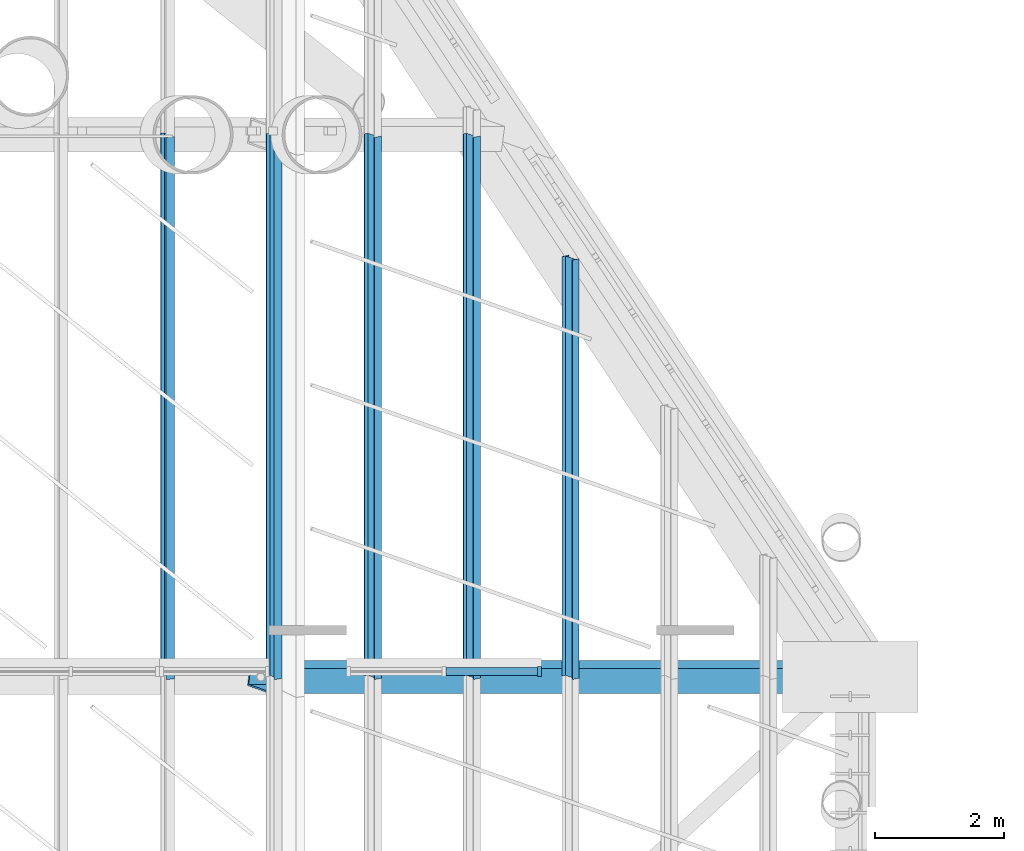
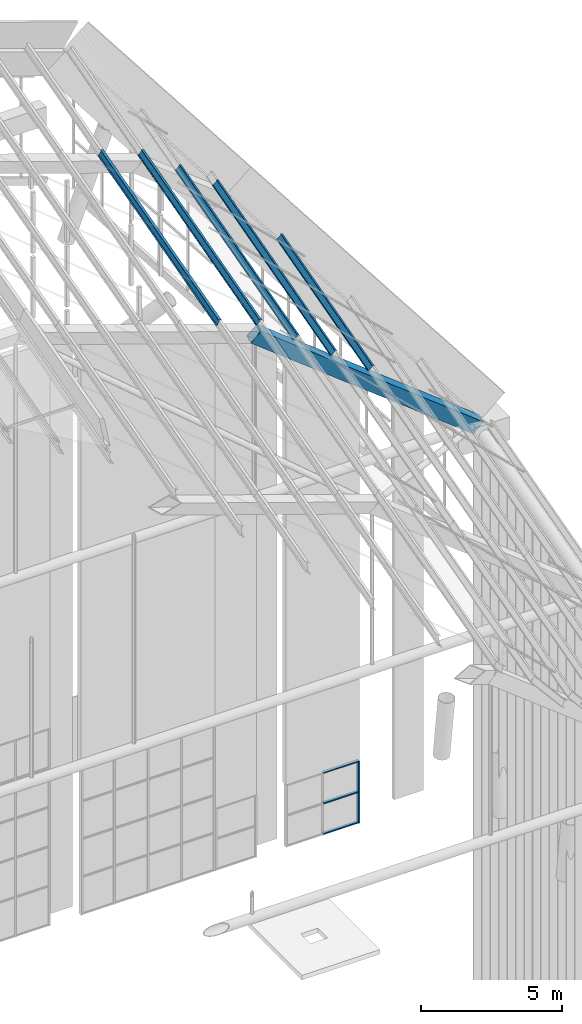
# One storey, part 66 of 126: 9 members, 1 beam, 1 element without a shape of its own.
"""IFC4 building model written with IfcOpenShell, lengths in metres."""

from ifc_helpers import new_model, si_unit, direction, frame, origin, origin_2d, place, context, subcontext, project, spatial, polyline, rectangle, i_section, outline, extrude, material, material_profile, profile_set, type_object, element, aggregate, save


model = new_model("IFC4")

# Units and contexts
model_context = context("Model", 3, precision=1e-05, world=origin(), true_north=direction((0.0, 1.0)))
body_context = subcontext(model_context, "Body", "Model", "MODEL_VIEW")
ifc_project = project(units=[si_unit("LENGTHUNIT", "METRE"), si_unit("AREAUNIT", "SQUARE_METRE"), si_unit("VOLUMEUNIT", "CUBIC_METRE"), si_unit("PLANEANGLEUNIT", "RADIAN"), si_unit("MASSUNIT", "GRAM", prefix="KILO")], contexts=[model_context])

# Site, building, storey
site_placement = place(None, origin())
site = spatial("IfcSite", under=ifc_project, at=site_placement, CompositionType="ELEMENT")
building_placement = place(site_placement, origin())
building = spatial("IfcBuilding", under=site, at=building_placement, Name="Sava Quay Ferry Terminal", CompositionType="ELEMENT")
storey_placement = place(building_placement, frame((0.0, 0.0, 15.0)))
storey = spatial("IfcBuildingStorey", under=building, at=storey_placement, Name="L03", CompositionType="ELEMENT", Elevation=15.0)

# Beam
ifc_material_1 = material(Name="Steel S355", Category="steel")
ifc_material_profile_1 = material_profile(ifc_material_1, outline(polyline([(-0.199951171875, -0.300048828125), (0.199951171875, -0.300048828125), (0.199951171875, 0.300048828125), (-0.199951171875, 0.300048828125), (-0.199951171875, -0.300048828125)]), holes=[polyline([(-0.175048828125, -0.27490234375), (-0.175048828125, 0.27490234375), (0.175048828125, 0.27490234375), (0.175048828125, -0.27490234375), (-0.175048828125, -0.27490234375)])]), Name="Box 600x400x25 built-up")
ifc_profile_set_1 = profile_set([ifc_material_profile_1], Name="Steel S355")
beam_type = type_object("IfcBeamType", Name="D folded rib Box 600x400x25", PredefinedType="BEAM", material=ifc_profile_set_1)
beam_placement = place(storey_placement, frame((74.8701171875, 100.800048828125, 22.758056640625), z_axis=(0.788010316968, 0.0, -0.615662034198), x_axis=(0.129742161592, 0.977543008469, 0.166062151312)))
element("IfcBeam", 1, at=beam_placement, inside=storey, type_object=beam_type, Name="Departure hall folded rib R6 seg 5", PredefinedType="BEAM", context=body_context, shape_type="SweptSolid", body=[
    extrude(outline(polyline([(-0.199951171875, -0.300048828125), (0.199951171875, -0.300048828125), (0.199951171875, 0.300048828125), (-0.199951171875, 0.300048828125), (-0.199951171875, -0.300048828125)]), holes=[polyline([(-0.175048828125, -0.27490234375), (-0.175048828125, 0.27490234375), (0.175048828125, 0.27490234375), (0.175048828125, -0.27490234375), (-0.175048828125, -0.27490234375)])]), origin(), (0.0, 0.0, 1.0), 11.5859375),
])

# Curtain wall, member
ifc_material_2 = material(Name="Aluminium and glass curtain wall, double low-e glazed", Category="aluminium")
curtain_wall_type = type_object("IfcCurtainWallType", Name="Curtain wall CW-G gable", PredefinedType="NOTDEFINED", material=ifc_material_2)
curtain_wall_placement = place(storey_placement, origin())
curtain_wall = element("IfcCurtainWall", 2, at=curtain_wall_placement, inside=storey, type_object=curtain_wall_type, Name="Curtain wall D-N L03 bay 52", PredefinedType="NOTDEFINED")
ifc_material_3 = material(Name="Aluminium EN AW-6063 T6", Category="aluminium")
ifc_material_profile_2 = material_profile(ifc_material_3, rectangle(XDim=0.14990234375, YDim=0.06005859375, at=origin_2d()), Name="Mullion 60x150 aluminium")
ifc_profile_set_2 = profile_set([ifc_material_profile_2], Name="Aluminium EN AW-6063 T6")
member_type_1 = type_object("IfcMemberType", Name="Mullion 60x150 aluminium", PredefinedType="MULLION", material=ifc_profile_set_2)
member_1_placement = place(storey_placement, frame((79.18994140625, 100.885009765625, 0.0), z_axis=(0.0, 0.0, 1.0), x_axis=(0.0, 1.0, 0.0)))
member_1 = element("IfcMember", 3, at=member_1_placement, type_object=member_type_1, Name="CW84 mullion 3", PredefinedType="MULLION", context=body_context, shape_type="SweptSolid", body=[
    extrude(rectangle(XDim=0.14990234375, YDim=0.06005859375, at=origin_2d()), origin(), (0.0, 0.0, 1.0), 2.699951171875),
])

# Members
ifc_material_4 = material(Name="Steel S355", Category="steel")
ifc_material_profile_3 = material_profile(ifc_material_4, i_section(OverallWidth=0.135009765625, OverallDepth=0.27001953125, WebThickness=0.006591796875, FlangeThickness=0.01025390625, at=origin_2d()), Name="IPE 270")
ifc_profile_set_3 = profile_set([ifc_material_profile_3], Name="Steel S355")
member_type_2 = type_object("IfcMemberType", Name="Roof purlin IPE 270", PredefinedType="PURLIN", material=ifc_profile_set_3)
for number, where, z_axis, x_axis, name in (
    (4, (73.424072265625, 100.800048828125, 23.731201171875), (0.0, 0.964553254836, 0.263888269132), (-0.949027169883, -0.0831760716, 0.3040216636), "Departure hall purlin bay 7 M3.5"),
    (5, (75.07470703125, 100.800048828125, 23.162841796875), (0.0, 0.964553254836, 0.263888269132), (-0.885499005285, -0.122613381034, 0.448171251232), "Departure hall purlin bay 7 V4"),
    (6, (76.60595703125, 100.800048828125, 21.966552734375), (0.0, 0.964553254836, 0.263888269132), (-0.798620025874, -0.158817347079, 0.580502458685), "Departure hall purlin bay 7 M4.1"),
    (7, (78.13720703125, 100.800048828125, 20.770263671875), (0.0, 0.964553254836, 0.263888269132), (-0.798620025874, -0.158817347079, 0.580502458685), "Departure hall purlin bay 7 M4.2"),
):
    element("IfcMember", number, at=place(storey_placement, frame(where, z_axis=z_axis, x_axis=x_axis)), inside=storey, type_object=member_type_2, Name=name, PredefinedType="PURLIN", context=body_context, shape_type="SweptSolid", body=[
        extrude(i_section(OverallWidth=0.135009765625, OverallDepth=0.27001953125, WebThickness=0.006591796875, FlangeThickness=0.01025390625, at=origin_2d()), origin(), (0.0, 0.0, 1.0), 8.70849609375),
    ])
member_2_placement = place(storey_placement, frame((79.668212890625, 100.800048828125, 19.573974609375), z_axis=(0.0, 0.96455274083, 0.263890147897), x_axis=(-0.798620025874, -0.158818477786, 0.580502149338)))
element("IfcMember", 8, at=member_2_placement, inside=storey, type_object=member_type_2, Name="Departure hall purlin bay 7 M4.3", PredefinedType="PURLIN", context=body_context, shape_type="SweptSolid", body=[
    extrude(i_section(OverallWidth=0.135009765625, OverallDepth=0.27001953125, WebThickness=0.006591796875, FlangeThickness=0.01025390625, at=origin_2d()), origin(), (0.0, 0.0, 1.0), 6.736083984375),
])

# Member
ifc_material_5 = material(Name="Aluminium EN AW-6063 T6", Category="aluminium")
ifc_material_profile_4 = material_profile(ifc_material_5, rectangle(XDim=0.1201171875, YDim=0.050048828125, at=origin_2d()), Name="Transom 50x120 aluminium")
ifc_profile_set_4 = profile_set([ifc_material_profile_4], Name="Aluminium EN AW-6063 T6")
member_type_3 = type_object("IfcMemberType", Name="Transom 50x120 aluminium", PredefinedType="USERDEFINED", material=ifc_profile_set_4)
member_3_placement = place(storey_placement, frame((77.739990234375, 100.885009765625, 0.02490234375), z_axis=(1.0, 0.0, 0.0), x_axis=(0.0, 1.0, 0.0)))
member_3 = element("IfcMember", 9, at=member_3_placement, type_object=member_type_3, Name="CW84 transom 2.1", ObjectType="TRANSOM", PredefinedType="USERDEFINED", context=body_context, shape_type="SweptSolid", body=[
    extrude(rectangle(XDim=0.1201171875, YDim=0.050048828125, at=origin_2d()), origin(), (0.0, 0.0, 1.0), 1.419921875),
])

member_4_placement = place(storey_placement, frame((77.739990234375, 100.885009765625, 1.35009765625), z_axis=(1.0, 0.0, 0.0), x_axis=(0.0, 1.0, 0.0)))
member_4 = element("IfcMember", 10, at=member_4_placement, type_object=member_type_3, Name="CW84 transom 2.2", ObjectType="TRANSOM", PredefinedType="USERDEFINED", context=body_context, shape_type="SweptSolid", body=[
    extrude(rectangle(XDim=0.1201171875, YDim=0.050048828125, at=origin_2d()), origin(), (0.0, 0.0, 1.0), 1.419921875),
])

member_5_placement = place(storey_placement, frame((77.739990234375, 100.885009765625, 2.675048828125), z_axis=(1.0, 0.0, 0.0), x_axis=(0.0, 1.0, 0.0)))
member_5 = element("IfcMember", 11, at=member_5_placement, type_object=member_type_3, Name="CW84 transom 2.3", ObjectType="TRANSOM", PredefinedType="USERDEFINED", context=body_context, shape_type="SweptSolid", body=[
    extrude(rectangle(XDim=0.1201171875, YDim=0.050048828125, at=origin_2d()), origin(), (0.0, 0.0, 1.0), 1.419921875),
])

aggregate(curtain_wall, [member_1, member_3, member_4, member_5])

save(model, "model.ifc")
